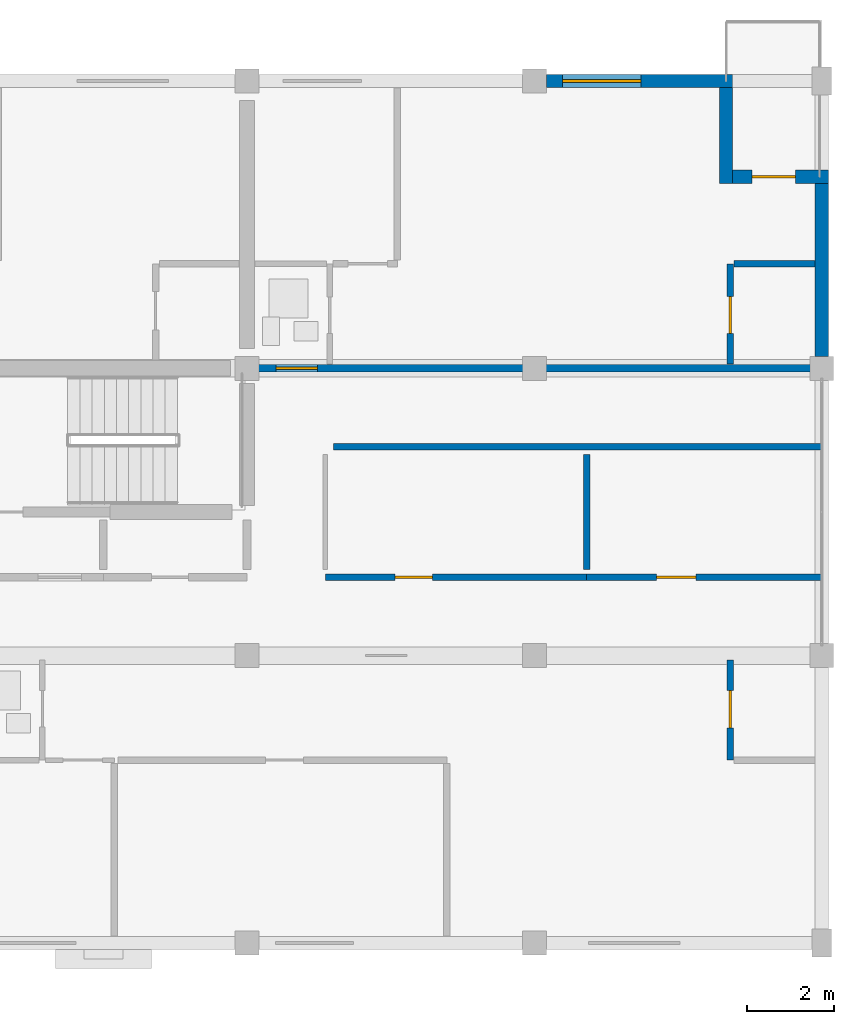
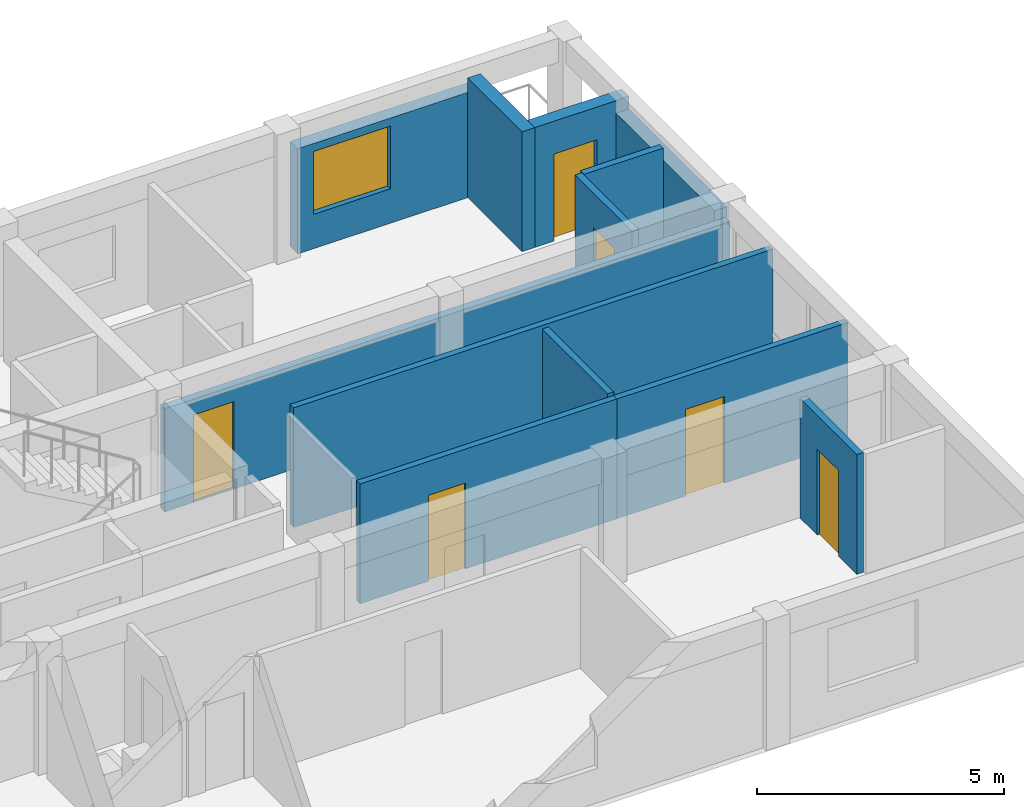
# One storey, part 40 of 52: 12 walls, 6 doors, 1 window, 7 openings.
"""IFC4 building model written with IfcOpenShell, lengths in metres."""

from ifc_helpers import new_model, si_unit, direction, frame, frame_2d, origin, place, context, subcontext, project, spatial, rectangle, extrude, material, layer, layer_set, type_object, element, fill, save


model = new_model("IFC4")

# Units and contexts
model_context = context("Model", 3, precision=1e-05, world=origin(), true_north=direction((0.0, 1.0)))
body_context = subcontext(model_context, "Body", "Model", "MODEL_VIEW")
ifc_project = project(units=[si_unit("LENGTHUNIT", "METRE"), si_unit("AREAUNIT", "SQUARE_METRE"), si_unit("VOLUMEUNIT", "CUBIC_METRE"), si_unit("PLANEANGLEUNIT", "RADIAN"), si_unit("MASSUNIT", "GRAM", prefix="KILO")], contexts=[model_context])

# Site, building, storey
site_placement = place(None, origin())
site = spatial("IfcSite", under=ifc_project, at=site_placement, CompositionType="ELEMENT")
building_placement = place(site_placement, origin())
building = spatial("IfcBuilding", under=site, at=building_placement, Name="Kernevlak Ridge Housing Community", CompositionType="ELEMENT")
storey_placement = place(building_placement, frame((0.0, 0.0, 11.60009765625)))
storey = spatial("IfcBuildingStorey", under=building, at=storey_placement, Name="L03", CompositionType="ELEMENT", Elevation=11.60009765625)

# Wall, opening, window
ifc_material_1 = material(Name="Concrete block masonry M10", Category="masonry")
ifc_layer_1 = layer(ifc_material_1, 0.300048828125, Name="Concrete block masonry M10")
ifc_layer_set_1 = layer_set([ifc_layer_1], Name="Concrete block masonry M10")
wall_type_1 = type_object("IfcWallType", Name="EW-01", PredefinedType="STANDARD", material=ifc_layer_set_1)
wall_1_placement = place(storey_placement, frame((146.074951171875, 102.39990234375, 0.0), z_axis=(0.0, 0.0, 1.0), x_axis=(1.0, 0.0, 0.0)))
wall_1 = element("IfcWall", 1, at=wall_1_placement, inside=storey, type_object=wall_type_1, Name="Exterior wall EW-01 L03 348", PredefinedType="STANDARD", context=body_context, shape_type="SweptSolid", body=[
    extrude(rectangle(XDim=4.275146484375, YDim=0.300048828125, at=frame_2d((2.1376953125, 0.0))), origin(), (0.0, 0.0, 1.0), 2.599853515625),
])
opening_1_placement = place(wall_1_placement, frame((0.375, 0.0, 0.85009765625)))
opening_1 = element("IfcOpeningElement", 2, at=opening_1_placement, cuts=wall_1, Name="Opening WT-04", PredefinedType="OPENING", context=body_context, shape_type="SweptSolid", body=[
    extrude(rectangle(XDim=1.800048828125, YDim=1.550048828125, at=frame_2d((0.89990234375, 0.77490234375))), frame((0.0, 0.159912109375, 0.0), z_axis=(0.0, -1.0, 0.0), x_axis=(1.0, 0.0, 0.0)), (0.0, 0.0, 1.0), 0.320068359375),
])
ifc_material_2 = material(Name="Aluminium EN AW-6060 anodised and laminated glass", Category="aluminium")
window_type = type_object("IfcWindowType", Name="WT-04", PartitioningType="SINGLE_PANEL", PredefinedType="WINDOW", material=ifc_material_2)
window_placement = place(opening_1_placement, origin())
window = element("IfcWindow", 3, at=window_placement, inside=storey, type_object=window_type, Name="Window WT-04 L03 270", OverallHeight=1.550048828125, OverallWidth=1.800048828125, PartitioningType="SINGLE_PANEL", PredefinedType="WINDOW", context=body_context, shape_type="SweptSolid", body=[
    extrude(rectangle(XDim=1.800048828125, YDim=1.550048828125, at=frame_2d((0.89990234375, 0.77490234375))), frame((0.0, 0.030029296875, 0.0), z_axis=(0.0, -1.0, 0.0), x_axis=(1.0, 0.0, 0.0)), (0.0, 0.0, 1.0), 0.06005859375),
])
fill(opening_1, window)

# Wall
wall_2_placement = place(storey_placement, frame((150.199951171875, 102.25, 0.0), z_axis=(0.0, 0.0, 1.0), x_axis=(0.0, -1.0, 0.0)))
element("IfcWall", 4, at=wall_2_placement, inside=storey, type_object=wall_type_1, Name="Exterior wall EW-01 L03 349", PredefinedType="STANDARD", context=body_context, shape_type="SweptSolid", body=[
    extrude(rectangle(XDim=2.199951171875, YDim=0.300048828125, at=frame_2d((1.10009765625, 0.0))), origin(), (0.0, 0.0, 1.0), 2.9599609375),
])

# Wall, opening, door
wall_3_placement = place(storey_placement, frame((150.35009765625, 100.199951171875, 0.0), z_axis=(0.0, 0.0, 1.0), x_axis=(1.0, 0.0, 0.0)))
wall_3 = element("IfcWall", 5, at=wall_3_placement, inside=storey, type_object=wall_type_1, Name="Exterior wall EW-01 L03 350", PredefinedType="STANDARD", context=body_context, shape_type="SweptSolid", body=[
    extrude(rectangle(XDim=2.199951171875, YDim=0.300048828125, at=frame_2d((1.10009765625, 0.0))), origin(), (0.0, 0.0, 1.0), 2.9599609375),
])
opening_2_placement = place(wall_3_placement, frame((0.449951171875, 0.0, 0.0)))
opening_2 = element("IfcOpeningElement", 6, at=opening_2_placement, cuts=wall_3, Name="Opening D701", PredefinedType="OPENING", context=body_context, shape_type="SweptSolid", body=[
    extrude(rectangle(XDim=1.0, YDim=2.14990234375, at=frame_2d((0.5, 1.074951171875))), frame((0.0, 0.159912109375, 0.0), z_axis=(0.0, -1.0, 0.0), x_axis=(1.0, 0.0, 0.0)), (0.0, 0.0, 1.0), 0.320068359375),
])
ifc_material_3 = material(Name="Aluminium EN AW-6060 and laminated safety glass", Category="aluminium")
door_type_1 = type_object("IfcDoorType", Name="DT-08", OperationType="NOTDEFINED", PredefinedType="DOOR", material=ifc_material_3)
door_1_placement = place(opening_2_placement, origin())
door_1 = element("IfcDoor", 7, at=door_1_placement, inside=storey, type_object=door_type_1, Name="Flat B0323 corner balcony glazed door D701", OperationType="SINGLE_SWING_LEFT", OverallHeight=2.14990234375, OverallWidth=1.0, PredefinedType="DOOR", context=body_context, shape_type="SweptSolid", body=[
    extrude(rectangle(XDim=1.0, YDim=2.14990234375, at=frame_2d((0.5, 1.074951171875))), frame((0.0, 0.02490234375, 0.0), z_axis=(0.0, -1.0, 0.0), x_axis=(1.0, 0.0, 0.0)), (0.0, 0.0, 1.0), 0.050048828125),
])
fill(opening_2, door_1)

# Wall
wall_4_placement = place(storey_placement, frame((152.39990234375, 96.074951171875, 0.0), z_axis=(0.0, 0.0, 1.0), x_axis=(0.0, 1.0, 0.0)))
element("IfcWall", 8, at=wall_4_placement, inside=storey, type_object=wall_type_1, Name="Exterior wall EW-01 L03 354", PredefinedType="STANDARD", context=body_context, shape_type="SweptSolid", body=[
    extrude(rectangle(XDim=3.97509765625, YDim=0.300048828125, at=frame_2d((1.987548828125, 0.0))), origin(), (0.0, 0.0, 1.0), 2.64990234375),
])

# Wall, opening, door
ifc_layer_2 = layer(ifc_material_1, 0.175048828125, Name="Concrete block masonry M10")
ifc_layer_set_2 = layer_set([ifc_layer_2], Name="Concrete block masonry M10")
wall_type_2 = type_object("IfcWallType", Name="PW-02", PredefinedType="PARTITIONING", material=ifc_layer_set_2)
wall_5_placement = place(storey_placement, frame((139.199951171875, 95.800048828125, 0.0), z_axis=(0.0, 0.0, 1.0), x_axis=(1.0, 0.0, 0.0)))
wall_5 = element("IfcWall", 9, at=wall_5_placement, inside=storey, type_object=wall_type_2, Name="Interior wall PW-02 WAL-INT-L03-1378", PredefinedType="PARTITIONING", context=body_context, shape_type="SweptSolid", body=[
    extrude(rectangle(XDim=13.199951171875, YDim=0.175048828125, at=frame_2d((6.60009765625, 0.0))), origin(), (0.0, 0.0, 1.0), 2.5498046875),
])
opening_3_placement = place(wall_5_placement, frame((0.669921875, 0.0, 0.0)))
opening_3 = element("IfcOpeningElement", 10, at=opening_3_placement, cuts=wall_5, Name="Opening D697", PredefinedType="OPENING", context=body_context, shape_type="SweptSolid", body=[
    extrude(rectangle(XDim=0.949951171875, YDim=2.159912109375, at=frame_2d((0.47509765625, 1.080078125))), frame((0.0, 0.097412109375, 0.0), z_axis=(0.0, -1.0, 0.0), x_axis=(1.0, 0.0, 0.0)), (0.0, 0.0, 1.0), 0.195068359375),
])
ifc_material_4 = material(Name="Hardwood timber solid-core fire leaf", Category="wood")
door_type_2 = type_object("IfcDoorType", Name="DT-02", OperationType="NOTDEFINED", PredefinedType="DOOR", material=ifc_material_4)
door_2_placement = place(opening_3_placement, origin())
door_2 = element("IfcDoor", 11, at=door_2_placement, inside=storey, type_object=door_type_2, Name="Flat B0323 entrance fire door D697", OperationType="SINGLE_SWING_LEFT", OverallHeight=2.159912109375, OverallWidth=0.949951171875, PredefinedType="DOOR", context=body_context, shape_type="SweptSolid", body=[
    extrude(rectangle(XDim=0.949951171875, YDim=2.159912109375, at=frame_2d((0.47509765625, 1.080078125))), frame((0.0, 0.02490234375, 0.0), z_axis=(0.0, -1.0, 0.0), x_axis=(1.0, 0.0, 0.0)), (0.0, 0.0, 1.0), 0.050048828125),
])
fill(opening_3, door_2)

ifc_layer_3 = layer(ifc_material_1, 0.14501953125, Name="Concrete block masonry M10")
ifc_layer_set_3 = layer_set([ifc_layer_3], Name="Concrete block masonry M10")
wall_type_3 = type_object("IfcWallType", Name="PW-03", PredefinedType="PARTITIONING", material=ifc_layer_set_3)
wall_6_placement = place(storey_placement, frame((141.0, 91.0, 0.0), z_axis=(0.0, 0.0, 1.0), x_axis=(1.0, 0.0, 0.0)))
wall_6 = element("IfcWall", 12, at=wall_6_placement, inside=storey, type_object=wall_type_3, Name="Interior wall PW-03 WAL-INT-L03-1342", PredefinedType="PARTITIONING", context=body_context, shape_type="SweptSolid", body=[
    extrude(rectangle(XDim=6.0, YDim=0.14501953125, at=frame_2d((3.0, 0.0))), origin(), (0.0, 0.0, 1.0), 2.9599609375),
])
opening_4_placement = place(wall_6_placement, frame((1.60009765625, 0.0, 0.0)))
opening_4 = element("IfcOpeningElement", 13, at=opening_4_placement, cuts=wall_6, Name="Opening D678", PredefinedType="OPENING", context=body_context, shape_type="SweptSolid", body=[
    extrude(rectangle(XDim=0.860107421875, YDim=2.1201171875, at=frame_2d((0.43017578125, 1.06005859375))), frame((0.0, 0.08251953125, 0.0), z_axis=(0.0, -1.0, 0.0), x_axis=(1.0, 0.0, 0.0)), (0.0, 0.0, 1.0), 0.1650390625),
])
ifc_material_5 = material(Name="Hardwood timber leaf", Category="wood")
door_type_3 = type_object("IfcDoorType", Name="DT-28", OperationType="NOTDEFINED", PredefinedType="DOOR", material=ifc_material_5)
door_3_placement = place(opening_4_placement, origin())
door_3 = element("IfcDoor", 14, at=door_3_placement, inside=storey, type_object=door_type_3, Name="Block B Laundry room door D678", OperationType="SINGLE_SWING_RIGHT", OverallHeight=2.1201171875, OverallWidth=0.860107421875, PredefinedType="DOOR", context=body_context, shape_type="SweptSolid", body=[
    extrude(rectangle(XDim=0.860107421875, YDim=2.1201171875, at=frame_2d((0.43017578125, 1.06005859375))), frame((0.0, 0.02490234375, 0.0), z_axis=(0.0, -1.0, 0.0), x_axis=(1.0, 0.0, 0.0)), (0.0, 0.0, 1.0), 0.050048828125),
])
fill(opening_4, door_3)

wall_7_placement = place(storey_placement, frame((147.0, 91.0, 0.0), z_axis=(0.0, 0.0, 1.0), x_axis=(1.0, 0.0, 0.0)))
wall_7 = element("IfcWall", 15, at=wall_7_placement, inside=storey, type_object=wall_type_3, Name="Interior wall PW-03 WAL-INT-L03-1343", PredefinedType="PARTITIONING", context=body_context, shape_type="SweptSolid", body=[
    extrude(rectangle(XDim=5.39990234375, YDim=0.14501953125, at=frame_2d((2.699951171875, 0.0))), origin(), (0.0, 0.0, 1.0), 2.9599609375),
])
opening_5_placement = place(wall_7_placement, frame((1.60009765625, 0.0, 0.0)))
opening_5 = element("IfcOpeningElement", 16, at=opening_5_placement, cuts=wall_7, Name="Opening D679", PredefinedType="OPENING", context=body_context, shape_type="SweptSolid", body=[
    extrude(rectangle(XDim=0.909912109375, YDim=2.139892578125, at=frame_2d((0.455078125, 1.06982421875))), frame((0.0, 0.08251953125, 0.0), z_axis=(0.0, -1.0, 0.0), x_axis=(1.0, 0.0, 0.0)), (0.0, 0.0, 1.0), 0.1650390625),
])
door_type_4 = type_object("IfcDoorType", Name="DT-31", OperationType="NOTDEFINED", PredefinedType="DOOR", material=ifc_material_5)
door_4_placement = place(opening_5_placement, origin())
door_4 = element("IfcDoor", 17, at=door_4_placement, inside=storey, type_object=door_type_4, Name="Block B Study room door D679", OperationType="SINGLE_SWING_LEFT", OverallHeight=2.139892578125, OverallWidth=0.909912109375, PredefinedType="DOOR", context=body_context, shape_type="SweptSolid", body=[
    extrude(rectangle(XDim=0.909912109375, YDim=2.139892578125, at=frame_2d((0.455078125, 1.06982421875))), frame((0.0, 0.02490234375, 0.0), z_axis=(0.0, -1.0, 0.0), x_axis=(1.0, 0.0, 0.0)), (0.0, 0.0, 1.0), 0.050048828125),
])
fill(opening_5, door_4)

# Walls
wall_8_placement = place(storey_placement, frame((147.0, 91.179931640625, 0.0), z_axis=(0.0, 0.0, 1.0), x_axis=(0.0, 1.0, 0.0)))
element("IfcWall", 18, at=wall_8_placement, inside=storey, type_object=wall_type_3, Name="Interior wall PW-03 WAL-INT-L03-1344", PredefinedType="PARTITIONING", context=body_context, shape_type="SweptSolid", body=[
    extrude(rectangle(XDim=2.64013671875, YDim=0.14501953125, at=frame_2d((1.320068359375, 0.0))), origin(), (0.0, 0.0, 1.0), 2.9599609375),
])
wall_9_placement = place(storey_placement, frame((141.179931640625, 94.0, 0.0), z_axis=(0.0, 0.0, 1.0), x_axis=(1.0, 0.0, 0.0)))
element("IfcWall", 19, at=wall_9_placement, inside=storey, type_object=wall_type_3, Name="Interior wall PW-03 WAL-INT-L03-1345", PredefinedType="PARTITIONING", context=body_context, shape_type="SweptSolid", body=[
    extrude(rectangle(XDim=11.199951171875, YDim=0.14501953125, at=frame_2d((5.60009765625, 0.0))), origin(), (0.0, 0.0, 1.0), 2.9599609375),
])

# Wall, opening, door
ifc_material_6 = material(Name="Gypsum plasterboard EN 520", Category="gypsum")
ifc_layer_4 = layer(ifc_material_6, 0.155029296875, Name="Gypsum plasterboard EN 520")
ifc_layer_set_4 = layer_set([ifc_layer_4], Name="Gypsum plasterboard EN 520")
wall_type_4 = type_object("IfcWallType", Name="PW-05", PredefinedType="PARTITIONING", material=ifc_layer_set_4)
wall_10_placement = place(storey_placement, frame((150.300048828125, 89.1025390625, 0.0), z_axis=(0.0, 0.0, 1.0), x_axis=(0.0, -1.0, 0.0)))
wall_10 = element("IfcWall", 20, at=wall_10_placement, inside=storey, type_object=wall_type_4, Name="Interior wall PW-05 WAL-INT-L03-1359", PredefinedType="PARTITIONING", context=body_context, shape_type="SweptSolid", body=[
    extrude(rectangle(XDim=2.302490234375, YDim=0.155029296875, at=frame_2d((1.1513671875, 0.0))), origin(), (0.0, 0.0, 1.0), 2.9599609375),
])
opening_6_placement = place(wall_10_placement, frame((0.699951171875, 0.0, 0.0)))
opening_6 = element("IfcOpeningElement", 21, at=opening_6_placement, cuts=wall_10, Name="Opening D687", PredefinedType="OPENING", context=body_context, shape_type="SweptSolid", body=[
    extrude(rectangle(XDim=0.860107421875, YDim=2.1201171875, at=frame_2d((0.43017578125, 1.06005859375))), frame((0.0, 0.08740234375, 0.0), z_axis=(0.0, -1.0, 0.0), x_axis=(1.0, 0.0, 0.0)), (0.0, 0.0, 1.0), 0.175048828125),
])
door_5_placement = place(opening_6_placement, origin())
door_5 = element("IfcDoor", 22, at=door_5_placement, inside=storey, type_object=door_type_3, Name="Flat B0312 kitchen door D687", OperationType="SINGLE_SWING_LEFT", OverallHeight=2.1201171875, OverallWidth=0.860107421875, PredefinedType="DOOR", context=body_context, shape_type="SweptSolid", body=[
    extrude(rectangle(XDim=0.860107421875, YDim=2.1201171875, at=frame_2d((0.43017578125, 1.06005859375))), frame((0.0, 0.02490234375, 0.0), z_axis=(0.0, -1.0, 0.0), x_axis=(1.0, 0.0, 0.0)), (0.0, 0.0, 1.0), 0.050048828125),
])
fill(opening_6, door_5)

wall_11_placement = place(storey_placement, frame((150.300048828125, 95.8974609375, 0.0), z_axis=(0.0, 0.0, 1.0), x_axis=(0.0, 1.0, 0.0)))
wall_11 = element("IfcWall", 23, at=wall_11_placement, inside=storey, type_object=wall_type_4, Name="Interior wall PW-05 WAL-INT-L03-1381", PredefinedType="PARTITIONING", context=body_context, shape_type="SweptSolid", body=[
    extrude(rectangle(XDim=2.302490234375, YDim=0.155029296875, at=frame_2d((1.1513671875, 0.0))), origin(), (0.0, 0.0, 1.0), 2.9599609375),
])
opening_7_placement = place(wall_11_placement, frame((0.699951171875, 0.0, 0.0)))
opening_7 = element("IfcOpeningElement", 24, at=opening_7_placement, cuts=wall_11, Name="Opening D699", PredefinedType="OPENING", context=body_context, shape_type="SweptSolid", body=[
    extrude(rectangle(XDim=0.85009765625, YDim=2.10009765625, at=frame_2d((0.425048828125, 1.050048828125))), frame((0.0, 0.08740234375, 0.0), z_axis=(0.0, -1.0, 0.0), x_axis=(1.0, 0.0, 0.0)), (0.0, 0.0, 1.0), 0.175048828125),
])
door_type_5 = type_object("IfcDoorType", Name="DT-03", OperationType="NOTDEFINED", PredefinedType="DOOR", material=ifc_material_5)
door_6_placement = place(opening_7_placement, origin())
door_6 = element("IfcDoor", 25, at=door_6_placement, inside=storey, type_object=door_type_5, Name="Flat B0323 kitchen door D699", OperationType="SINGLE_SWING_LEFT", OverallHeight=2.10009765625, OverallWidth=0.85009765625, PredefinedType="DOOR", context=body_context, shape_type="SweptSolid", body=[
    extrude(rectangle(XDim=0.85009765625, YDim=2.10009765625, at=frame_2d((0.425048828125, 1.050048828125))), frame((0.0, 0.02490234375, 0.0), z_axis=(0.0, -1.0, 0.0), x_axis=(1.0, 0.0, 0.0)), (0.0, 0.0, 1.0), 0.050048828125),
])
fill(opening_7, door_6)

# Wall
wall_12_placement = place(storey_placement, frame((150.387451171875, 98.199951171875, 0.0), z_axis=(0.0, 0.0, 1.0), x_axis=(1.0, 0.0, 0.0)))
element("IfcWall", 26, at=wall_12_placement, inside=storey, type_object=wall_type_4, Name="Interior wall PW-05 WAL-INT-L03-1382", PredefinedType="PARTITIONING", context=body_context, shape_type="SweptSolid", body=[
    extrude(rectangle(XDim=1.8525390625, YDim=0.155029296875, at=frame_2d((0.92626953125, 0.0))), origin(), (0.0, 0.0, 1.0), 2.9599609375),
])

save(model, "model.ifc")
